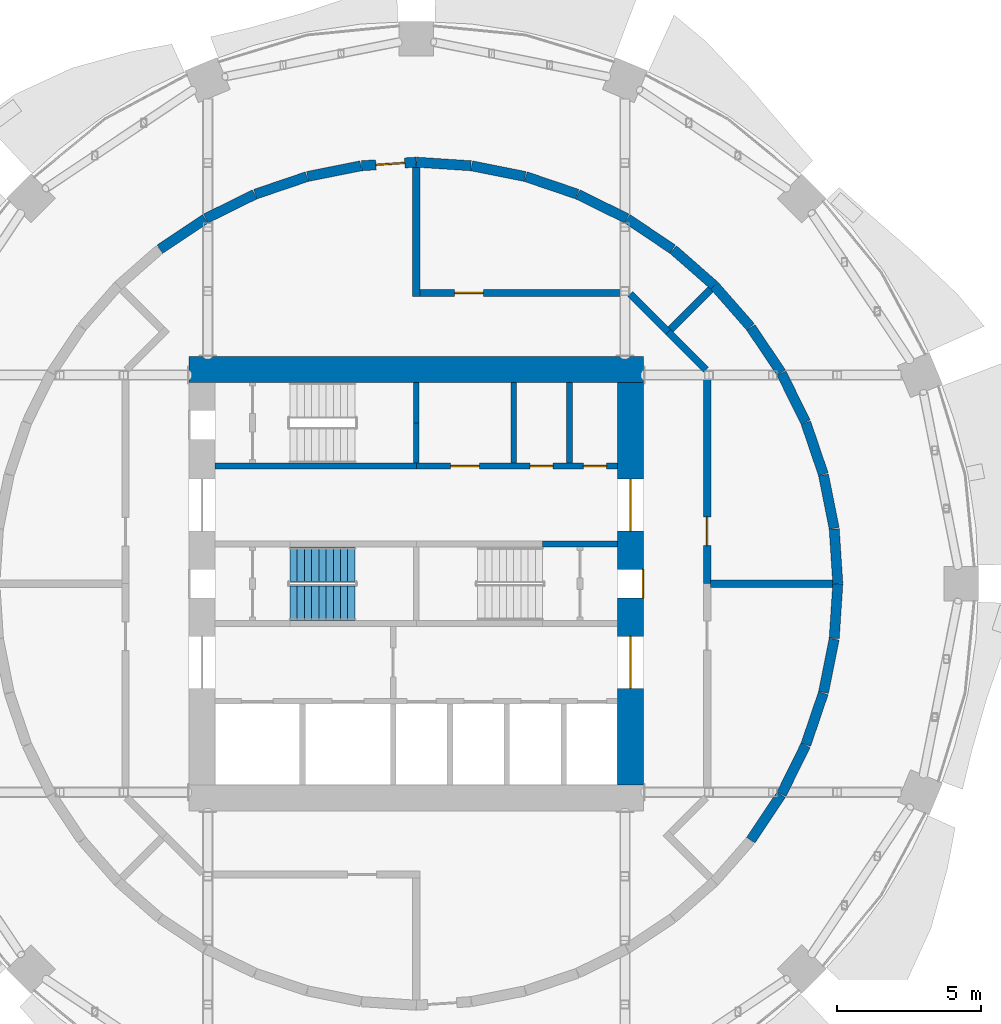
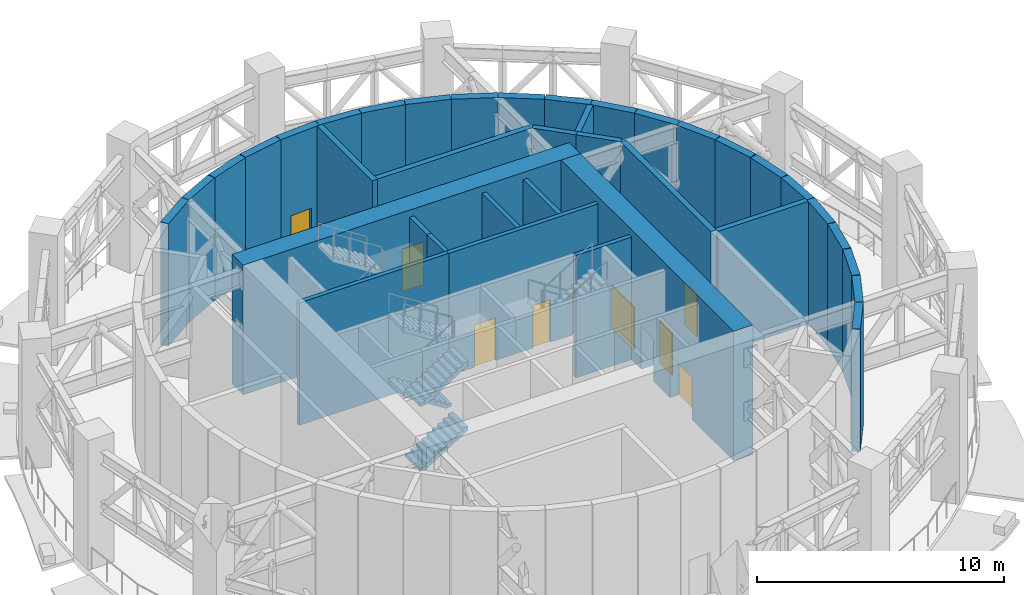
# One storey, part 8 of 14: 38 walls, 9 doors, 3 stair flights, 9 openings, 1 element without a shape of its own.
"""IFC4 building model written with IfcOpenShell, lengths in metres."""

from ifc_helpers import new_model, si_unit, direction, frame, frame_2d, origin, place, context, subcontext, project, spatial, polyline, rectangle, outline, extrude, material, layer, layer_set, type_object, element, fill, aggregate, save


model = new_model("IFC4")

# Units and contexts
model_context = context("Model", 3, precision=1e-05, world=origin(), true_north=direction((0.0, 1.0)))
body_context = subcontext(model_context, "Body", "Model", "MODEL_VIEW")
ifc_project = project(units=[si_unit("LENGTHUNIT", "METRE"), si_unit("AREAUNIT", "SQUARE_METRE"), si_unit("VOLUMEUNIT", "CUBIC_METRE"), si_unit("PLANEANGLEUNIT", "RADIAN"), si_unit("MASSUNIT", "GRAM", prefix="KILO")], contexts=[model_context])

# Site, building, storey
site_placement = place(None, origin())
site = spatial("IfcSite", under=ifc_project, at=site_placement, CompositionType="ELEMENT")
building_placement = place(site_placement, origin())
building = spatial("IfcBuilding", under=site, at=building_placement, Name="Polderwave Tower", CompositionType="ELEMENT")
storey_placement = place(building_placement, frame((0.0, 0.0, 66.35009765625)))
storey = spatial("IfcBuildingStorey", under=building, at=storey_placement, Name="L17", CompositionType="ELEMENT", Elevation=66.35009765625)

# Wall
ifc_material_1 = material(Name="Concrete C80/95", Category="concrete")
ifc_layer_1 = layer(ifc_material_1, 0.89990234375)
ifc_layer_set_1 = layer_set([ifc_layer_1], Name="CORE WALL 900 C80/95")
wall_type_1 = type_object("IfcWallType", Name="CORE WALL 900 C80/95", PredefinedType="SHEAR", material=ifc_layer_set_1)
wall_1_placement = place(storey_placement, frame((-7.8740234375, 7.424072265625, 0.0), z_axis=(0.0, 0.0, 1.0), x_axis=(1.0, 0.0, 0.0)))
element("IfcWall", 1, at=wall_1_placement, inside=storey, type_object=wall_type_1, Name="ST-CORE-L17-N", PredefinedType="SHEAR", context=body_context, shape_type="SweptSolid", body=[
    extrude(rectangle(XDim=15.748046875, YDim=0.89990234375, at=frame_2d((7.8740234375, 0.0))), origin(), (0.0, 0.0, 1.0), 6.39990234375),
])

# Wall, openings, doors
wall_2_placement = place(storey_placement, frame((7.424072265625, -6.97412109375, 0.0), z_axis=(0.0, 0.0, 1.0), x_axis=(0.0, 1.0, 0.0)))
wall_2 = element("IfcWall", 2, at=wall_2_placement, inside=storey, type_object=wall_type_1, Name="ST-CORE-L17-E", PredefinedType="SHEAR", context=body_context, shape_type="SweptSolid", body=[
    extrude(rectangle(XDim=13.9482421875, YDim=0.89990234375, at=frame_2d((6.97412109375, 0.0))), origin(), (0.0, 0.0, 1.0), 6.39990234375),
])
opening_1_placement = place(wall_2_placement, frame((6.47412109375, 0.0, 0.0)))
opening_1 = element("IfcOpeningElement", 3, at=opening_1_placement, cuts=wall_2, Name="Opening L17-D21", PredefinedType="OPENING", context=body_context, shape_type="SweptSolid", body=[
    extrude(rectangle(XDim=1.0, YDim=2.10009765625, at=frame_2d((0.5, 1.050048828125))), frame((0.0, 0.4599609375, 0.0), z_axis=(0.0, -1.0, 0.0), x_axis=(1.0, 0.0, 0.0)), (0.0, 0.0, 1.0), 0.919921875),
])
opening_2_placement = place(wall_2_placement, frame((3.349609375, 0.0, 0.0)))
opening_2 = element("IfcOpeningElement", 4, at=opening_2_placement, cuts=wall_2, Name="Opening L17-D22", PredefinedType="OPENING", context=body_context, shape_type="SweptSolid", body=[
    extrude(rectangle(XDim=1.800048828125, YDim=2.10009765625, at=frame_2d((0.89990234375, 1.050048828125))), frame((0.0, 0.4599609375, 0.0), z_axis=(0.0, -1.0, 0.0), x_axis=(1.0, 0.0, 0.0)), (0.0, 0.0, 1.0), 0.919921875),
])
opening_3_placement = place(wall_2_placement, frame((8.798583984375, 0.0, 0.0)))
opening_3 = element("IfcOpeningElement", 5, at=opening_3_placement, cuts=wall_2, Name="Opening L17-D23", PredefinedType="OPENING", context=body_context, shape_type="SweptSolid", body=[
    extrude(rectangle(XDim=1.800048828125, YDim=2.10009765625, at=frame_2d((0.89990234375, 1.050048828125))), frame((0.0, 0.4599609375, 0.0), z_axis=(0.0, -1.0, 0.0), x_axis=(1.0, 0.0, 0.0)), (0.0, 0.0, 1.0), 0.919921875),
])
ifc_material_2 = material(Name="Steel fire door", Category="steel")
door_type_1 = type_object("IfcDoorType", Name="Lobby entry door pair 1800", OperationType="DOUBLE_DOOR_SINGLE_SWING", PredefinedType="DOOR", material=ifc_material_2)
door_1_placement = place(opening_2_placement, frame((1.800048828125, 0.0, 0.0), z_axis=(0.0, 0.0, 1.0), x_axis=(-1.0, 0.0, 0.0)))
door_1 = element("IfcDoor", 6, at=door_1_placement, inside=storey, type_object=door_type_1, Name="South lobby entry door", OperationType="DOUBLE_DOOR_SINGLE_SWING", OverallHeight=2.10009765625, OverallWidth=1.800048828125, PredefinedType="DOOR", context=body_context, shape_type="SweptSolid", body=[
    extrude(rectangle(XDim=1.800048828125, YDim=2.10009765625, at=frame_2d((0.89990234375, 1.050048828125))), frame((0.0, 0.02490234375, 0.0), z_axis=(0.0, -1.0, 0.0), x_axis=(1.0, 0.0, 0.0)), (0.0, 0.0, 1.0), 0.050048828125),
])
fill(opening_2, door_1)
door_2_placement = place(opening_3_placement, frame((1.800048828125, 0.0, 0.0), z_axis=(0.0, 0.0, 1.0), x_axis=(-1.0, 0.0, 0.0)))
door_2 = element("IfcDoor", 7, at=door_2_placement, inside=storey, type_object=door_type_1, Name="North lobby entry door", OperationType="DOUBLE_DOOR_SINGLE_SWING", OverallHeight=2.10009765625, OverallWidth=1.800048828125, PredefinedType="DOOR", context=body_context, shape_type="SweptSolid", body=[
    extrude(rectangle(XDim=1.800048828125, YDim=2.10009765625, at=frame_2d((0.89990234375, 1.050048828125))), frame((0.0, 0.02490234375, 0.0), z_axis=(0.0, -1.0, 0.0), x_axis=(1.0, 0.0, 0.0)), (0.0, 0.0, 1.0), 0.050048828125),
])
fill(opening_3, door_2)
door_type_2 = type_object("IfcDoorType", Name="Stair door 1000", OperationType="NOTDEFINED", PredefinedType="DOOR", material=ifc_material_2)
door_3_placement = place(opening_1_placement, frame((1.0, 0.0, 0.0), z_axis=(0.0, 0.0, 1.0), x_axis=(-1.0, 0.0, 0.0)))
door_3 = element("IfcDoor", 8, at=door_3_placement, inside=storey, type_object=door_type_2, Name="Stair B entry door", OperationType="SINGLE_SWING_LEFT", OverallHeight=2.10009765625, OverallWidth=1.0, PredefinedType="DOOR", context=body_context, shape_type="SweptSolid", body=[
    extrude(rectangle(XDim=1.0, YDim=2.10009765625, at=frame_2d((0.5, 1.050048828125))), frame((0.0, 0.4501953125, 0.0), z_axis=(0.0, -1.0, 0.0), x_axis=(1.0, 0.0, 0.0)), (0.0, 0.0, 1.0), 0.050048828125),
])
fill(opening_1, door_3)

# Walls
ifc_material_3 = material(Name="Gypsum board partition")
ifc_layer_2 = layer(ifc_material_3, 0.199951171875)
ifc_layer_set_2 = layer_set([ifc_layer_2], Name="Core room partition 200")
wall_type_2 = type_object("IfcWallType", Name="Core room partition 200", PredefinedType="PARTITIONING", material=ifc_layer_set_2)
wall_3_placement = place(storey_placement, frame((3.3740234375, 4.174072265625, 0.0), z_axis=(0.0, 0.0, 1.0), x_axis=(0.0, 1.0, 0.0)))
element("IfcWall", 9, at=wall_3_placement, inside=storey, type_object=wall_type_2, Name="L17 room partition N1", PredefinedType="PARTITIONING", context=body_context, shape_type="SweptSolid", body=[
    extrude(rectangle(XDim=2.800048828125, YDim=0.199951171875, at=frame_2d((1.39990234375, 0.0))), origin(), (0.0, 0.0, 1.0), 6.0498046875),
])
ifc_material_4 = material(Name="Concrete C50/60", Category="concrete")
ifc_layer_3 = layer(ifc_material_4, 0.199951171875)
ifc_layer_set_3 = layer_set([ifc_layer_3], Name="Core web wall 200")
wall_type_3 = type_object("IfcWallType", Name="Core web wall 200", PredefinedType="SHEAR", material=ifc_layer_set_3)
wall_4_placement = place(storey_placement, frame((-6.97412109375, 4.073974609375, 0.0), z_axis=(0.0, 0.0, 1.0), x_axis=(1.0, 0.0, 0.0)))
element("IfcWall", 10, at=wall_4_placement, inside=storey, type_object=wall_type_3, Name="L17 north front wall 1", PredefinedType="SHEAR", context=body_context, shape_type="SweptSolid", body=[
    extrude(rectangle(XDim=6.97412109375, YDim=0.199951171875, at=frame_2d((3.487060546875, 0.0))), origin(), (0.0, 0.0, 1.0), 6.0498046875),
])

# Wall, openings, doors
wall_5_placement = place(storey_placement, frame((0.0, 4.073974609375, 0.0), z_axis=(0.0, 0.0, 1.0), x_axis=(1.0, 0.0, 0.0)))
wall_5 = element("IfcWall", 11, at=wall_5_placement, inside=storey, type_object=wall_type_3, Name="L17 north front wall 2", PredefinedType="SHEAR", context=body_context, shape_type="SweptSolid", body=[
    extrude(rectangle(XDim=6.97412109375, YDim=0.199951171875, at=frame_2d((3.487060546875, 0.0))), origin(), (0.0, 0.0, 1.0), 6.0498046875),
])
opening_4_placement = place(wall_5_placement, frame((1.18701171875, 0.0, 0.0)))
opening_4 = element("IfcOpeningElement", 12, at=opening_4_placement, cuts=wall_5, Name="Opening L17-D14", PredefinedType="OPENING", context=body_context, shape_type="SweptSolid", body=[
    extrude(rectangle(XDim=1.0, YDim=2.10009765625, at=frame_2d((0.5, 1.050048828125))), frame((0.0, 0.10986328125, 0.0), z_axis=(0.0, -1.0, 0.0), x_axis=(1.0, 0.0, 0.0)), (0.0, 0.0, 1.0), 0.219970703125),
])
opening_5_placement = place(wall_5_placement, frame((3.939697265625, 0.0, 0.0)))
opening_5 = element("IfcOpeningElement", 13, at=opening_5_placement, cuts=wall_5, Name="Opening L17-D15", PredefinedType="OPENING", context=body_context, shape_type="SweptSolid", body=[
    extrude(rectangle(XDim=0.800048828125, YDim=2.10009765625, at=frame_2d((0.39990234375, 1.050048828125))), frame((0.0, 0.10986328125, 0.0), z_axis=(0.0, -1.0, 0.0), x_axis=(1.0, 0.0, 0.0)), (0.0, 0.0, 1.0), 0.219970703125),
])
opening_6_placement = place(wall_5_placement, frame((5.789794921875, 0.0, 0.0)))
opening_6 = element("IfcOpeningElement", 14, at=opening_6_placement, cuts=wall_5, Name="Opening L17-D16", PredefinedType="OPENING", context=body_context, shape_type="SweptSolid", body=[
    extrude(rectangle(XDim=0.800048828125, YDim=2.10009765625, at=frame_2d((0.39990234375, 1.050048828125))), frame((0.0, 0.10986328125, 0.0), z_axis=(0.0, -1.0, 0.0), x_axis=(1.0, 0.0, 0.0)), (0.0, 0.0, 1.0), 0.219970703125),
])
door_type_3 = type_object("IfcDoorType", Name="Riser door 800", OperationType="NOTDEFINED", PredefinedType="DOOR", material=ifc_material_2)
door_4_placement = place(opening_5_placement, frame((0.800048828125, 0.0, 0.0), z_axis=(0.0, 0.0, 1.0), x_axis=(-1.0, 0.0, 0.0)))
door_4 = element("IfcDoor", 15, at=door_4_placement, inside=storey, type_object=door_type_3, Name="Switch room door", OperationType="SINGLE_SWING_LEFT", OverallHeight=2.10009765625, OverallWidth=0.800048828125, PredefinedType="DOOR", context=body_context, shape_type="SweptSolid", body=[
    extrude(rectangle(XDim=0.800048828125, YDim=2.10009765625, at=frame_2d((0.39990234375, 1.050048828125))), frame((0.0, 0.02490234375, 0.0), z_axis=(0.0, -1.0, 0.0), x_axis=(1.0, 0.0, 0.0)), (0.0, 0.0, 1.0), 0.050048828125),
])
fill(opening_5, door_4)
door_5_placement = place(opening_6_placement, frame((0.800048828125, 0.0, 0.0), z_axis=(0.0, 0.0, 1.0), x_axis=(-1.0, 0.0, 0.0)))
door_5 = element("IfcDoor", 16, at=door_5_placement, inside=storey, type_object=door_type_3, Name="Riser door", OperationType="SINGLE_SWING_LEFT", OverallHeight=2.10009765625, OverallWidth=0.800048828125, PredefinedType="DOOR", context=body_context, shape_type="SweptSolid", body=[
    extrude(rectangle(XDim=0.800048828125, YDim=2.10009765625, at=frame_2d((0.39990234375, 1.050048828125))), frame((0.0, 0.02490234375, 0.0), z_axis=(0.0, -1.0, 0.0), x_axis=(1.0, 0.0, 0.0)), (0.0, 0.0, 1.0), 0.050048828125),
])
fill(opening_6, door_5)
ifc_material_5 = material(Name="Timber door leaf", Category="wood")
door_type_4 = type_object("IfcDoorType", Name="Room door 1000", OperationType="NOTDEFINED", PredefinedType="DOOR", material=ifc_material_5)
door_6_placement = place(opening_4_placement, frame((1.0, 0.0, 0.0), z_axis=(0.0, 0.0, 1.0), x_axis=(-1.0, 0.0, 0.0)))
door_6 = element("IfcDoor", 17, at=door_6_placement, inside=storey, type_object=door_type_4, Name="Plant room door", OperationType="SINGLE_SWING_RIGHT", OverallHeight=2.10009765625, OverallWidth=1.0, PredefinedType="DOOR", context=body_context, shape_type="SweptSolid", body=[
    extrude(rectangle(XDim=1.0, YDim=2.10009765625, at=frame_2d((0.5, 1.050048828125))), frame((0.0, 0.02490234375, 0.0), z_axis=(0.0, -1.0, 0.0), x_axis=(1.0, 0.0, 0.0)), (0.0, 0.0, 1.0), 0.050048828125),
])
fill(opening_4, door_6)

# Walls
wall_6_placement = place(storey_placement, frame((4.3740234375, 1.375, 0.0), z_axis=(0.0, 0.0, 1.0), x_axis=(1.0, 0.0, 0.0)))
element("IfcWall", 18, at=wall_6_placement, inside=storey, type_object=wall_type_3, Name="L17 north stair wall 4", PredefinedType="SHEAR", context=body_context, shape_type="SweptSolid", body=[
    extrude(rectangle(XDim=2.60009765625, YDim=0.199951171875, at=frame_2d((1.300048828125, 0.0))), origin(), (0.0, 0.0, 1.0), 6.0498046875),
])
wall_7_placement = place(storey_placement, frame((0.0, 4.174072265625, 0.0), z_axis=(0.0, 0.0, 1.0), x_axis=(0.0, 1.0, 0.0)))
element("IfcWall", 19, at=wall_7_placement, inside=storey, type_object=wall_type_3, Name="L17 stair C wall south", PredefinedType="SHEAR", context=body_context, shape_type="SweptSolid", body=[
    extrude(rectangle(XDim=1.39990234375, YDim=0.199951171875, at=frame_2d((0.699951171875, 0.0))), origin(), (0.0, 0.0, 1.0), 6.0498046875),
])
wall_8_placement = place(storey_placement, frame((0.0, 5.573974609375, 0.0), z_axis=(0.0, 0.0, 1.0), x_axis=(0.0, 1.0, 0.0)))
element("IfcWall", 20, at=wall_8_placement, inside=storey, type_object=wall_type_3, Name="L17 stair C wall north", PredefinedType="SHEAR", context=body_context, shape_type="SweptSolid", body=[
    extrude(rectangle(XDim=1.400146484375, YDim=0.199951171875, at=frame_2d((0.7001953125, 0.0))), origin(), (0.0, 0.0, 1.0), 6.0498046875),
])
ifc_material_6 = material(Name="Insulated metal rainscreen on fire-resisting board")
ifc_layer_4 = layer(ifc_material_6, 0.35009765625)
ifc_layer_set_4 = layer_set([ifc_layer_4], Name="Plant enclosure wall 350 mm EI 120")
wall_type_4 = type_object("IfcWallType", Name="Plant enclosure wall 350 mm EI 120", PredefinedType="PARTITIONING", material=ifc_layer_set_4)
wall_9_placement = place(storey_placement, frame((10.32373046875, 10.32373046875, 0.0), z_axis=(0.0, 0.0, 1.0), x_axis=(0.659360034108, -0.751827337506, 0.0)))
element("IfcWall", 21, at=wall_9_placement, inside=storey, type_object=wall_type_4, Name="IN-L17-W013", PredefinedType="PARTITIONING", context=body_context, shape_type="SweptSolid", body=[
    extrude(rectangle(XDim=1.8984375, YDim=0.35009765625, at=frame_2d((0.94921875, 0.0))), origin(), (0.0, 0.0, 1.0), 6.0498046875),
])
wall_10_placement = place(storey_placement, frame((11.58935546875, 8.87841796875, 0.0), z_axis=(0.0, 0.0, 1.0), x_axis=(0.555595643605, -0.831452632931, 0.0)))
element("IfcWall", 22, at=wall_10_placement, inside=storey, type_object=wall_type_4, Name="IN-L17-W014", PredefinedType="PARTITIONING", context=body_context, shape_type="SweptSolid", body=[
    extrude(rectangle(XDim=1.886962890625, YDim=0.35009765625, at=frame_2d((0.943359375, 0.0))), origin(), (0.0, 0.0, 1.0), 6.0498046875),
])
for number, where, z_axis, x_axis, name in (
    (23, (12.649169921875, 7.289794921875, 0.0), (0.0, 0.0, 1.0), (0.442134217984, -0.896948902272, 0.0), "IN-L17-W015"),
    (24, (13.4921875, 5.576416015625, 0.0), (0.0, 0.0, 1.0), (0.321540837015, -0.946895712384, 0.0), "IN-L17-W016"),
):
    element("IfcWall", number, at=place(storey_placement, frame(where, z_axis=z_axis, x_axis=x_axis)), inside=storey, type_object=wall_type_4, Name=name, PredefinedType="PARTITIONING", context=body_context, shape_type="SweptSolid", body=[
        extrude(rectangle(XDim=1.88671875, YDim=0.35009765625, at=frame_2d((0.943359375, 0.0))), origin(), (0.0, 0.0, 1.0), 6.0498046875),
    ])
wall_11_placement = place(storey_placement, frame((14.104736328125, 3.767578125, 0.0), z_axis=(0.0, 0.0, 1.0), x_axis=(0.195120723342, -0.980779232714, 0.0)))
element("IfcWall", 25, at=wall_11_placement, inside=storey, type_object=wall_type_4, Name="IN-L17-W017", PredefinedType="PARTITIONING", context=body_context, shape_type="SweptSolid", body=[
    extrude(rectangle(XDim=1.886962890625, YDim=0.35009765625, at=frame_2d((0.943359375, 0.0))), origin(), (0.0, 0.0, 1.0), 6.0498046875),
])
for number, where, z_axis, x_axis, name in (
    (26, (14.475830078125, 1.894287109375, 0.0), (0.0, 0.0, 1.0), (0.065460533058, -0.997855159135, 0.0), "IN-L17-W018"),
    (27, (0.0, 14.60009765625, 0.0), (0.0, 0.0, 1.0), (0.997855159135, -0.065460533058, 0.0), "IN-L17-W021"),
):
    element("IfcWall", number, at=place(storey_placement, frame(where, z_axis=z_axis, x_axis=x_axis)), inside=storey, type_object=wall_type_4, Name=name, PredefinedType="PARTITIONING", context=body_context, shape_type="SweptSolid", body=[
        extrude(rectangle(XDim=1.8984375, YDim=0.35009765625, at=frame_2d((0.94921875, 0.0))), origin(), (0.0, 0.0, 1.0), 6.0498046875),
    ])
wall_12_placement = place(storey_placement, frame((1.9169921875, 14.472900390625, 0.0), z_axis=(0.0, 0.0, 1.0), x_axis=(0.980779232714, -0.195120723342, 0.0)))
element("IfcWall", 28, at=wall_12_placement, inside=storey, type_object=wall_type_4, Name="IN-L17-W022", PredefinedType="PARTITIONING", context=body_context, shape_type="SweptSolid", body=[
    extrude(rectangle(XDim=1.886962890625, YDim=0.35009765625, at=frame_2d((0.943359375, 0.0))), origin(), (0.0, 0.0, 1.0), 6.0498046875),
])
for number, where, z_axis, x_axis, name in (
    (29, (3.789794921875, 14.098876953125, 0.0), (0.0, 0.0, 1.0), (0.946895712384, -0.321540837015, 0.0), "IN-L17-W023"),
    (30, (5.597412109375, 13.4833984375, 0.0), (0.0, 0.0, 1.0), (0.896948902272, -0.442134217984, 0.0), "IN-L17-W024"),
):
    element("IfcWall", number, at=place(storey_placement, frame(where, z_axis=z_axis, x_axis=x_axis)), inside=storey, type_object=wall_type_4, Name=name, PredefinedType="PARTITIONING", context=body_context, shape_type="SweptSolid", body=[
        extrude(rectangle(XDim=1.88671875, YDim=0.35009765625, at=frame_2d((0.943359375, 0.0))), origin(), (0.0, 0.0, 1.0), 6.0498046875),
    ])
wall_13_placement = place(storey_placement, frame((7.3095703125, 12.6376953125, 0.0), z_axis=(0.0, 0.0, 1.0), x_axis=(0.831452632931, -0.555595643605, 0.0)))
element("IfcWall", 31, at=wall_13_placement, inside=storey, type_object=wall_type_4, Name="IN-L17-W025", PredefinedType="PARTITIONING", context=body_context, shape_type="SweptSolid", body=[
    extrude(rectangle(XDim=1.886962890625, YDim=0.35009765625, at=frame_2d((0.943359375, 0.0))), origin(), (0.0, 0.0, 1.0), 6.0498046875),
])
wall_14_placement = place(storey_placement, frame((8.896484375, 11.575439453125, 0.0), z_axis=(0.0, 0.0, 1.0), x_axis=(0.751827337506, -0.659360034108, 0.0)))
element("IfcWall", 32, at=wall_14_placement, inside=storey, type_object=wall_type_4, Name="IN-L17-W026", PredefinedType="PARTITIONING", context=body_context, shape_type="SweptSolid", body=[
    extrude(rectangle(XDim=1.8984375, YDim=0.35009765625, at=frame_2d((0.94921875, 0.0))), origin(), (0.0, 0.0, 1.0), 6.0498046875),
])
wall_15_placement = place(storey_placement, frame((-8.87841796875, 11.58935546875, 0.0), z_axis=(0.0, 0.0, 1.0), x_axis=(0.831452632931, 0.555595643605, 0.0)))
element("IfcWall", 33, at=wall_15_placement, inside=storey, type_object=wall_type_4, Name="IN-L17-W029", PredefinedType="PARTITIONING", context=body_context, shape_type="SweptSolid", body=[
    extrude(rectangle(XDim=1.886962890625, YDim=0.35009765625, at=frame_2d((0.943359375, 0.0))), origin(), (0.0, 0.0, 1.0), 6.0498046875),
])
for number, where, z_axis, x_axis, name in (
    (34, (-7.289794921875, 12.649169921875, 0.0), (0.0, 0.0, 1.0), (0.896948902272, 0.442134217984, 0.0), "IN-L17-W030"),
    (35, (-5.576416015625, 13.4921875, 0.0), (0.0, 0.0, 1.0), (0.946895712384, 0.321540837015, 0.0), "IN-L17-W031"),
):
    element("IfcWall", number, at=place(storey_placement, frame(where, z_axis=z_axis, x_axis=x_axis)), inside=storey, type_object=wall_type_4, Name=name, PredefinedType="PARTITIONING", context=body_context, shape_type="SweptSolid", body=[
        extrude(rectangle(XDim=1.88671875, YDim=0.35009765625, at=frame_2d((0.943359375, 0.0))), origin(), (0.0, 0.0, 1.0), 6.0498046875),
    ])
wall_16_placement = place(storey_placement, frame((-3.767578125, 14.104736328125, 0.0), z_axis=(0.0, 0.0, 1.0), x_axis=(0.980779232714, 0.195120723342, 0.0)))
element("IfcWall", 36, at=wall_16_placement, inside=storey, type_object=wall_type_4, Name="IN-L17-W032", PredefinedType="PARTITIONING", context=body_context, shape_type="SweptSolid", body=[
    extrude(rectangle(XDim=1.886962890625, YDim=0.35009765625, at=frame_2d((0.943359375, 0.0))), origin(), (0.0, 0.0, 1.0), 6.0498046875),
])

# Wall, opening, door
wall_17_placement = place(storey_placement, frame((0.0, 14.60009765625, 0.0), z_axis=(0.0, 0.0, 1.0), x_axis=(-0.997855159135, -0.065460533058, 0.0)))
wall_17 = element("IfcWall", 37, at=wall_17_placement, inside=storey, type_object=wall_type_4, Name="IN-L17-W033", PredefinedType="PARTITIONING", context=body_context, shape_type="SweptSolid", body=[
    extrude(rectangle(XDim=1.8984375, YDim=0.35009765625, at=frame_2d((0.94921875, 0.0))), origin(), (0.0, 0.0, 1.0), 6.0498046875),
])
opening_7_placement = place(wall_17_placement, frame((0.39990234375, 0.0, 0.0)))
opening_7 = element("IfcOpeningElement", 38, at=opening_7_placement, cuts=wall_17, Name="Opening L17-D56", PredefinedType="OPENING", context=body_context, shape_type="SweptSolid", body=[
    extrude(rectangle(XDim=1.0, YDim=2.10009765625, at=frame_2d((0.5, 1.050048828125))), frame((0.0, 0.18505859375, 0.0), z_axis=(0.0, -1.0, 0.0), x_axis=(1.0, 0.0, 0.0)), (0.0, 0.0, 1.0), 0.3701171875),
])
ifc_material_7 = material(Name="Steel plant door leaf", Category="steel")
door_type_5 = type_object("IfcDoorType", Name="Plant door FD60 1000 x 2100 steel", OperationType="NOTDEFINED", PredefinedType="DOOR", material=ifc_material_7)
door_7_placement = place(opening_7_placement, origin())
door_7 = element("IfcDoor", 39, at=door_7_placement, inside=storey, type_object=door_type_5, Name="Door L17-D56", OperationType="SINGLE_SWING_LEFT", OverallHeight=2.10009765625, OverallWidth=1.0, PredefinedType="DOOR", context=body_context, shape_type="SweptSolid", body=[
    extrude(rectangle(XDim=1.0, YDim=2.10009765625, at=frame_2d((0.5, 1.050048828125))), frame((0.0, 0.02490234375, 0.0), z_axis=(0.0, -1.0, 0.0), x_axis=(1.0, 0.0, 0.0)), (0.0, 0.0, 1.0), 0.050048828125),
])
fill(opening_7, door_7)

# Walls
wall_18_placement = place(storey_placement, frame((12.6376953125, -7.3095703125, 0.0), z_axis=(0.0, 0.0, 1.0), x_axis=(-0.555595643605, -0.831452632931, 0.0)))
element("IfcWall", 40, at=wall_18_placement, inside=storey, type_object=wall_type_4, Name="IN-L17-W064", PredefinedType="PARTITIONING", context=body_context, shape_type="SweptSolid", body=[
    extrude(rectangle(XDim=1.886962890625, YDim=0.35009765625, at=frame_2d((0.943359375, 0.0))), origin(), (0.0, 0.0, 1.0), 6.0498046875),
])
for number, where, z_axis, x_axis, name in (
    (41, (13.4833984375, -5.597412109375, 0.0), (0.0, 0.0, 1.0), (-0.442134217984, -0.896948902272, 0.0), "IN-L17-W065"),
    (42, (14.098876953125, -3.789794921875, 0.0), (0.0, 0.0, 1.0), (-0.321540837015, -0.946895712384, 0.0), "IN-L17-W066"),
):
    element("IfcWall", number, at=place(storey_placement, frame(where, z_axis=z_axis, x_axis=x_axis)), inside=storey, type_object=wall_type_4, Name=name, PredefinedType="PARTITIONING", context=body_context, shape_type="SweptSolid", body=[
        extrude(rectangle(XDim=1.88671875, YDim=0.35009765625, at=frame_2d((0.943359375, 0.0))), origin(), (0.0, 0.0, 1.0), 6.0498046875),
    ])
wall_19_placement = place(storey_placement, frame((14.472900390625, -1.9169921875, 0.0), z_axis=(0.0, 0.0, 1.0), x_axis=(-0.195120723342, -0.980779232714, 0.0)))
element("IfcWall", 43, at=wall_19_placement, inside=storey, type_object=wall_type_4, Name="IN-L17-W067", PredefinedType="PARTITIONING", context=body_context, shape_type="SweptSolid", body=[
    extrude(rectangle(XDim=1.886962890625, YDim=0.35009765625, at=frame_2d((0.943359375, 0.0))), origin(), (0.0, 0.0, 1.0), 6.0498046875),
])
wall_20_placement = place(storey_placement, frame((14.60009765625, 0.0, 0.0), z_axis=(0.0, 0.0, 1.0), x_axis=(-0.065460533058, -0.997855159135, 0.0)))
element("IfcWall", 44, at=wall_20_placement, inside=storey, type_object=wall_type_4, Name="IN-L17-W068", PredefinedType="PARTITIONING", context=body_context, shape_type="SweptSolid", body=[
    extrude(rectangle(XDim=1.8984375, YDim=0.35009765625, at=frame_2d((0.94921875, 0.0))), origin(), (0.0, 0.0, 1.0), 6.0498046875),
])
ifc_material_8 = material(Name="Fire-resisting board on steel studs, mineral wool", Category="steel")
ifc_layer_5 = layer(ifc_material_8, 0.25)
ifc_layer_set_5 = layer_set([ifc_layer_5], Name="Plant room wall 250 mm EI 120")
wall_type_5 = type_object("IfcWallType", Name="Plant room wall 250 mm EI 120", PredefinedType="PARTITIONING", material=ifc_layer_set_5)
wall_21_placement = place(storey_placement, frame((8.722412109375, 8.722412109375, 0.0), z_axis=(0.0, 0.0, 1.0), x_axis=(0.707172427269, -0.707041129009, 0.0)))
element("IfcWall", 45, at=wall_21_placement, inside=storey, type_object=wall_type_5, Name="IN-L17-W001", PredefinedType="PARTITIONING", context=body_context, shape_type="SweptSolid", body=[
    extrude(rectangle(XDim=1.859375, YDim=0.25, at=frame_2d((0.9296875, 0.0))), origin(), (0.0, 0.0, 1.0), 6.0498046875),
])

# Wall, opening, door
wall_22_placement = place(storey_placement, frame((10.073974609375, 7.3193359375, 0.0), z_axis=(0.0, 0.0, 1.0), x_axis=(0.0, -1.0, 0.0)))
wall_22 = element("IfcWall", 46, at=wall_22_placement, inside=storey, type_object=wall_type_5, Name="IN-L17-W002", PredefinedType="PARTITIONING", context=body_context, shape_type="SweptSolid", body=[
    extrude(rectangle(XDim=7.3193359375, YDim=0.25, at=frame_2d((3.65966796875, 0.0))), origin(), (0.0, 0.0, 1.0), 6.0498046875),
])
opening_8_placement = place(wall_22_placement, frame((5.0, 0.0, 0.0)))
opening_8 = element("IfcOpeningElement", 47, at=opening_8_placement, cuts=wall_22, Name="Opening L17-D50", PredefinedType="OPENING", context=body_context, shape_type="SweptSolid", body=[
    extrude(rectangle(XDim=1.0, YDim=2.10009765625, at=frame_2d((0.5, 1.050048828125))), frame((0.0, 0.135009765625, 0.0), z_axis=(0.0, -1.0, 0.0), x_axis=(1.0, 0.0, 0.0)), (0.0, 0.0, 1.0), 0.27001953125),
])
door_8_placement = place(opening_8_placement, origin())
door_8 = element("IfcDoor", 48, at=door_8_placement, inside=storey, type_object=door_type_5, Name="Door L17-D50", OperationType="SINGLE_SWING_RIGHT", OverallHeight=2.10009765625, OverallWidth=1.0, PredefinedType="DOOR", context=body_context, shape_type="SweptSolid", body=[
    extrude(rectangle(XDim=1.0, YDim=2.10009765625, at=frame_2d((0.5, 1.050048828125))), frame((0.0, 0.02490234375, 0.0), z_axis=(0.0, -1.0, 0.0), x_axis=(1.0, 0.0, 0.0)), (0.0, 0.0, 1.0), 0.050048828125),
])
fill(opening_8, door_8)

wall_23_placement = place(storey_placement, frame((0.125, 10.073974609375, 0.0), z_axis=(0.0, 0.0, 1.0), x_axis=(1.0, 0.0, 0.0)))
wall_23 = element("IfcWall", 49, at=wall_23_placement, inside=storey, type_object=wall_type_5, Name="IN-L17-W005", PredefinedType="PARTITIONING", context=body_context, shape_type="SweptSolid", body=[
    extrude(rectangle(XDim=7.1943359375, YDim=0.25, at=frame_2d((3.59716796875, 0.0))), origin(), (0.0, 0.0, 1.0), 6.0498046875),
])
opening_9_placement = place(wall_23_placement, frame((1.199951171875, 0.0, 0.0)))
opening_9 = element("IfcOpeningElement", 50, at=opening_9_placement, cuts=wall_23, Name="Opening L17-D52", PredefinedType="OPENING", context=body_context, shape_type="SweptSolid", body=[
    extrude(rectangle(XDim=1.0, YDim=2.10009765625, at=frame_2d((0.5, 1.050048828125))), frame((0.0, 0.135009765625, 0.0), z_axis=(0.0, -1.0, 0.0), x_axis=(1.0, 0.0, 0.0)), (0.0, 0.0, 1.0), 0.27001953125),
])
door_9_placement = place(opening_9_placement, origin())
door_9 = element("IfcDoor", 51, at=door_9_placement, inside=storey, type_object=door_type_5, Name="Door L17-D52", OperationType="SINGLE_SWING_LEFT", OverallHeight=2.10009765625, OverallWidth=1.0, PredefinedType="DOOR", context=body_context, shape_type="SweptSolid", body=[
    extrude(rectangle(XDim=1.0, YDim=2.10009765625, at=frame_2d((0.5, 1.050048828125))), frame((0.0, 0.02490234375, 0.0), z_axis=(0.0, -1.0, 0.0), x_axis=(1.0, 0.0, 0.0)), (0.0, 0.0, 1.0), 0.050048828125),
])
fill(opening_9, door_9)

# Walls
wall_24_placement = place(storey_placement, frame((7.40771484375, 10.037353515625, 0.0), z_axis=(0.0, 0.0, 1.0), x_axis=(0.707041129009, -0.707172427269, 0.0)))
element("IfcWall", 52, at=wall_24_placement, inside=storey, type_object=wall_type_5, Name="IN-L17-W006", PredefinedType="PARTITIONING", context=body_context, shape_type="SweptSolid", body=[
    extrude(rectangle(XDim=1.859375, YDim=0.25, at=frame_2d((0.9296875, 0.0))), origin(), (0.0, 0.0, 1.0), 6.0498046875),
])
wall_25_placement = place(storey_placement, frame((8.810791015625, 8.810791015625, 0.0), z_axis=(0.0, 0.0, 1.0), x_axis=(0.707106781187, 0.707106781187, 0.0)))
element("IfcWall", 53, at=wall_25_placement, inside=storey, type_object=wall_type_5, Name="IN-L17-W019", PredefinedType="PARTITIONING", context=body_context, shape_type="SweptSolid", body=[
    extrude(rectangle(XDim=1.956298828125, YDim=0.25, at=frame_2d((0.97802734375, 0.0))), origin(), (0.0, 0.0, 1.0), 6.0498046875),
])
wall_26_placement = place(storey_placement, frame((14.41650390625, 0.0, 0.0), z_axis=(0.0, 0.0, 1.0), x_axis=(-1.0, 0.0, 0.0)))
element("IfcWall", 54, at=wall_26_placement, inside=storey, type_object=wall_type_5, Name="IN-L17-W020", PredefinedType="PARTITIONING", context=body_context, shape_type="SweptSolid", body=[
    extrude(rectangle(XDim=4.217529296875, YDim=0.25, at=frame_2d((2.10888671875, 0.0))), origin(), (0.0, 0.0, 1.0), 6.0498046875),
])
wall_27_placement = place(storey_placement, frame((0.0, 9.948974609375, 0.0), z_axis=(0.0, 0.0, 1.0), x_axis=(0.0, 1.0, 0.0)))
element("IfcWall", 55, at=wall_27_placement, inside=storey, type_object=wall_type_5, Name="IN-L17-W027", PredefinedType="PARTITIONING", context=body_context, shape_type="SweptSolid", body=[
    extrude(rectangle(XDim=4.467529296875, YDim=0.25, at=frame_2d((2.23388671875, 0.0))), origin(), (0.0, 0.0, 1.0), 6.0498046875),
])
ifc_material_9 = material(Name="Gypsum shaft wall system")
ifc_layer_6 = layer(ifc_material_9, 0.199951171875)
ifc_layer_set_6 = layer_set([ifc_layer_6], Name="Shaft wall 200")
wall_type_6 = type_object("IfcWallType", Name="Shaft wall 200", PredefinedType="PARTITIONING", material=ifc_layer_set_6)
wall_28_placement = place(storey_placement, frame((5.305419921875, 4.174072265625, 0.0), z_axis=(0.0, 0.0, 1.0), x_axis=(0.0, 1.0, 0.0)))
element("IfcWall", 56, at=wall_28_placement, inside=storey, type_object=wall_type_6, Name="L17 riser wall", PredefinedType="PARTITIONING", context=body_context, shape_type="SweptSolid", body=[
    extrude(rectangle(XDim=2.800048828125, YDim=0.199951171875, at=frame_2d((1.39990234375, 0.0))), origin(), (0.0, 0.0, 1.0), 6.0498046875),
])

# Stair, stair flights
ifc_material_10 = material(Name="Concrete C40/50", Category="concrete")
stair_type = type_object("IfcStairType", Name="Exit stair 1200 x 40 risers", PredefinedType="HALF_TURN_STAIR", material=ifc_material_10)
stair_placement = place(storey_placement, origin())
stair = element("IfcStair", 57, at=stair_placement, inside=storey, type_object=stair_type, Name="L17 Exit stair A", PredefinedType="HALF_TURN_STAIR")
stair_flight_type = type_object("IfcStairFlightType", Name="Stair flight 1200", PredefinedType="STRAIGHT", material=ifc_material_10)
stair_flight_1_placement = place(storey_placement, frame((-4.3740234375, -0.675048828125, 0.0), z_axis=(0.0, 0.0, 1.0), x_axis=(1.0, 0.0, 0.0)))
stair_flight_1 = element("IfcStairFlight", 58, at=stair_flight_1_placement, type_object=stair_flight_type, Name="ST-A flight 1", NumberOfRisers=10, NumberOfTreads=9, PredefinedType="STRAIGHT", RiserHeight=0.16, TreadLength=0.25, context=body_context, shape_type="SweptSolid", body=[
    extrude(outline(polyline([(0.0, 0.0), (0.0, 0.159912109375), (0.25, 0.159912109375), (0.25, 0.320068359375), (0.5, 0.320068359375), (0.5, 0.47998046875), (0.75, 0.47998046875), (0.75, 0.639892578125), (1.0, 0.639892578125), (1.0, 0.800048828125), (1.25, 0.800048828125), (1.25, 0.9599609375), (1.5, 0.9599609375), (1.5, 1.1201171875), (1.75, 1.1201171875), (1.75, 1.280029296875), (2.0, 1.280029296875), (2.0, 1.43994140625), (2.25, 1.43994140625), (2.25, 1.60009765625), (2.25, 1.261962890625), (0.278076171875, 0.0), (0.0, 0.0)])), frame((0.0, 0.60009765625, 0.0), z_axis=(0.0, -1.0, 0.0), x_axis=(1.0, 0.0, 0.0)), (0.0, 0.0, 1.0), 1.199951171875),
])
stair_flight_2_placement = place(storey_placement, frame((-2.1240234375, 0.675048828125, 1.599853515625), z_axis=(0.0, 0.0, 1.0), x_axis=(-1.0, 0.0, 0.0)))
stair_flight_2 = element("IfcStairFlight", 59, at=stair_flight_2_placement, type_object=stair_flight_type, Name="ST-A flight 2", NumberOfRisers=10, NumberOfTreads=9, PredefinedType="STRAIGHT", RiserHeight=0.16, TreadLength=0.25, context=body_context, shape_type="SweptSolid", body=[
    extrude(outline(polyline([(0.0, 0.0), (0.0, 0.159912109375), (0.25, 0.159912109375), (0.25, 0.320068359375), (0.5, 0.320068359375), (0.5, 0.47998046875), (0.75, 0.47998046875), (0.75, 0.639892578125), (1.0, 0.639892578125), (1.0, 0.800048828125), (1.25, 0.800048828125), (1.25, 0.9599609375), (1.5, 0.9599609375), (1.5, 1.1201171875), (1.75, 1.1201171875), (1.75, 1.280029296875), (2.0, 1.280029296875), (2.0, 1.43994140625), (2.25, 1.43994140625), (2.25, 1.60009765625), (2.25, 1.261962890625), (0.278076171875, 0.0), (0.0, 0.0)])), frame((0.0, 0.60009765625, 0.0), z_axis=(0.0, -1.0, 0.0), x_axis=(1.0, 0.0, 0.0)), (0.0, 0.0, 1.0), 1.199951171875),
])
stair_flight_3_placement = place(storey_placement, frame((-4.3740234375, -0.675048828125, 3.199951171875), z_axis=(0.0, 0.0, 1.0), x_axis=(1.0, 0.0, 0.0)))
stair_flight_3 = element("IfcStairFlight", 60, at=stair_flight_3_placement, type_object=stair_flight_type, Name="ST-A flight 3", NumberOfRisers=10, NumberOfTreads=9, PredefinedType="STRAIGHT", RiserHeight=0.16, TreadLength=0.25, context=body_context, shape_type="SweptSolid", body=[
    extrude(outline(polyline([(0.0, 0.0), (0.0, 0.159912109375), (0.25, 0.159912109375), (0.25, 0.320068359375), (0.5, 0.320068359375), (0.5, 0.47998046875), (0.75, 0.47998046875), (0.75, 0.639892578125), (1.0, 0.639892578125), (1.0, 0.800048828125), (1.25, 0.800048828125), (1.25, 0.9599609375), (1.5, 0.9599609375), (1.5, 1.1201171875), (1.75, 1.1201171875), (1.75, 1.280029296875), (2.0, 1.280029296875), (2.0, 1.43994140625), (2.25, 1.43994140625), (2.25, 1.60009765625), (2.25, 1.261962890625), (0.278076171875, 0.0), (0.0, 0.0)])), frame((0.0, 0.60009765625, 0.0), z_axis=(0.0, -1.0, 0.0), x_axis=(1.0, 0.0, 0.0)), (0.0, 0.0, 1.0), 1.199951171875),
])
aggregate(stair, [stair_flight_1, stair_flight_2, stair_flight_3])

save(model, "model.ifc")
